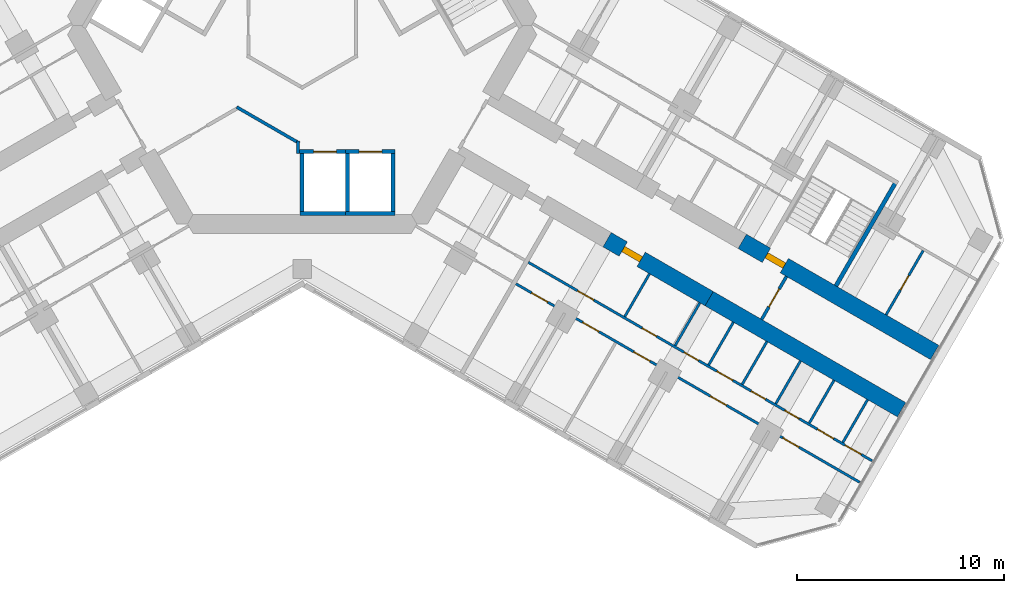
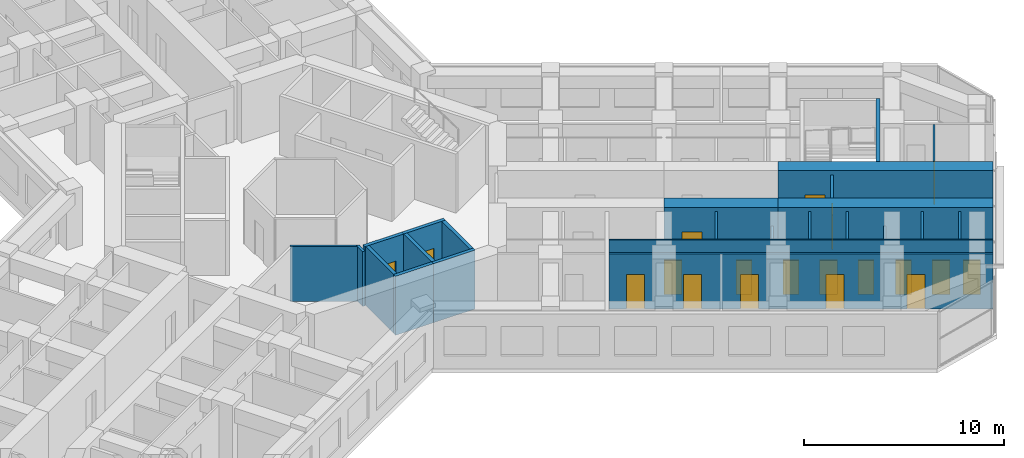
# One storey, part 14 of 19: 24 walls, 19 doors, 19 openings.
"""IFC4 building model written with IfcOpenShell, lengths in metres."""

from ifc_helpers import new_model, si_unit, direction, frame, frame_2d, origin, place, context, subcontext, project, spatial, rectangle, extrude, material, layer, layer_set, type_object, element, fill, save


model = new_model("IFC4")

# Units and contexts
model_context = context("Model", 3, precision=1e-05, world=origin(), true_north=direction((0.0, 1.0)))
body_context = subcontext(model_context, "Body", "Model", "MODEL_VIEW")
ifc_project = project(units=[si_unit("LENGTHUNIT", "METRE"), si_unit("AREAUNIT", "SQUARE_METRE"), si_unit("VOLUMEUNIT", "CUBIC_METRE"), si_unit("PLANEANGLEUNIT", "RADIAN"), si_unit("MASSUNIT", "GRAM", prefix="KILO")], contexts=[model_context])

# Site, building, storey
site_placement = place(None, origin())
site = spatial("IfcSite", under=ifc_project, at=site_placement, CompositionType="ELEMENT")
building_placement = place(site_placement, origin())
building = spatial("IfcBuilding", under=site, at=building_placement, Name="Kosmar Iwan School Tower", CompositionType="ELEMENT")
storey_placement = place(building_placement, frame((0.0, 0.0, 165.199951171875)))
storey = spatial("IfcBuildingStorey", under=building, at=storey_placement, Name="L41", CompositionType="ELEMENT", Elevation=165.199951171875)

# Walls
ifc_material_1 = material(Name="Gypsum board on steel studs, fire-rated", Category="steel")
ifc_layer_1 = layer(ifc_material_1, 0.14990234375)
ifc_layer_set_1 = layer_set([ifc_layer_1], Name="Core room partition 150")
wall_type_1 = type_object("IfcWallType", Name="Core room partition 150", PredefinedType="PARTITIONING", material=ifc_layer_set_1)
wall_1_placement = place(storey_placement, frame((-3.1650390625, -3.9462890625, 0.0), z_axis=(0.0, 0.0, 1.0), x_axis=(0.866040335699, -0.499974136273, 0.0)))
element("IfcWall", 1, at=wall_1_placement, inside=storey, type_object=wall_type_1, Name="Core room partition L41-CW6", PredefinedType="PARTITIONING", context=body_context, shape_type="SweptSolid", body=[
    extrude(rectangle(XDim=3.498779296875, YDim=0.14990234375, at=frame_2d((1.74951171875, 0.0))), origin(), (0.0, 0.0, 1.0), 3.35009765625),
])
wall_2_placement = place(storey_placement, frame((-0.199951171875, -5.5830078125, 0.0), z_axis=(0.0, 0.0, 1.0), x_axis=(0.0, -1.0, 0.0)))
element("IfcWall", 2, at=wall_2_placement, inside=storey, type_object=wall_type_1, Name="Core room partition L41-CW7", PredefinedType="PARTITIONING", context=body_context, shape_type="SweptSolid", body=[
    extrude(rectangle(XDim=0.616943359375, YDim=0.14990234375, at=frame_2d((0.30859375, 0.0))), origin(), (0.0, 0.0, 1.0), 3.35009765625),
])

# Wall, opening, door
ifc_material_2 = material(Name="Concrete C50/60", Category="concrete")
ifc_layer_2 = layer(ifc_material_2, 0.800048828125)
ifc_layer_set_2 = layer_set([ifc_layer_2], Name="Corridor buttress wall 800")
wall_type_2 = type_object("IfcWallType", Name="Corridor buttress wall 800", PredefinedType="SHEAR", material=ifc_layer_set_2)
wall_3_placement = place(storey_placement, frame((21.281494140625, -10.439453125, 0.0), z_axis=(0.0, 0.0, 1.0), x_axis=(0.866032345022, -0.499987977232, 0.0)))
wall_3 = element("IfcWall", 3, at=wall_3_placement, inside=storey, type_object=wall_type_2, Name="Corridor wall CL bay 3", PredefinedType="SHEAR", context=body_context, shape_type="SweptSolid", body=[
    extrude(rectangle(XDim=10.744873046875, YDim=0.800048828125, at=frame_2d((5.37255859375, 0.0))), origin(), (0.0, 0.0, 1.0), 3.60009765625),
])
opening_1_placement = place(wall_3_placement, frame((1.35009765625, 0.0, 0.0)))
opening_1 = element("IfcOpeningElement", 4, at=opening_1_placement, cuts=wall_3, Name="Opening D6", PredefinedType="OPENING", context=body_context, shape_type="SweptSolid", body=[
    extrude(rectangle(XDim=1.0, YDim=2.10009765625, at=frame_2d((0.5, 1.050048828125))), frame((0.0, 0.412109375, 0.0), z_axis=(0.0, -1.0, 0.0), x_axis=(1.0, 0.0, 0.0)), (0.0, 0.0, 1.0), 0.823974609375),
])
ifc_material_3 = material(Name="Steel fire door", Category="steel")
door_type_1 = type_object("IfcDoorType", Name="Stair door 1000x2100", OperationType="SINGLE_SWING_LEFT", PredefinedType="DOOR", material=ifc_material_3)
door_1_placement = place(opening_1_placement, origin())
door_1 = element("IfcDoor", 5, at=door_1_placement, inside=storey, type_object=door_type_1, Name="Stair WS3 door L41", OperationType="SINGLE_SWING_LEFT", OverallHeight=2.10009765625, OverallWidth=1.0, PredefinedType="DOOR", context=body_context, shape_type="SweptSolid", body=[
    extrude(rectangle(XDim=1.0, YDim=2.10009765625, at=frame_2d((0.5, 1.050048828125))), frame((0.0, 0.14990234375, 0.0), z_axis=(0.0, -1.0, 0.0), x_axis=(1.0, 0.0, 0.0)), (0.0, 0.0, 1.0), 0.300048828125),
])
fill(opening_1, door_1)

wall_4_placement = place(storey_placement, frame((14.7451171875, -10.360595703125, 0.0), z_axis=(0.0, 0.0, 1.0), x_axis=(0.866015111908, -0.50001782563, 0.0)))
wall_4 = element("IfcWall", 6, at=wall_4_placement, inside=storey, type_object=wall_type_2, Name="Corridor wall CR bay 2", PredefinedType="SHEAR", context=body_context, shape_type="SweptSolid", body=[
    extrude(rectangle(XDim=5.699951171875, YDim=0.800048828125, at=frame_2d((2.85009765625, 0.0))), origin(), (0.0, 0.0, 1.0), 3.60009765625),
])
opening_2_placement = place(wall_4_placement, frame((0.89990234375, 0.0, 0.0)))
opening_2 = element("IfcOpeningElement", 7, at=opening_2_placement, cuts=wall_4, Name="Opening D1", PredefinedType="OPENING", context=body_context, shape_type="SweptSolid", body=[
    extrude(rectangle(XDim=1.0, YDim=2.10009765625, at=frame_2d((0.5, 1.050048828125))), frame((0.0, 0.412109375, 0.0), z_axis=(0.0, -1.0, 0.0), x_axis=(1.0, 0.0, 0.0)), (0.0, 0.0, 1.0), 0.823974609375),
])
ifc_material_4 = material(Name="Timber fire door in steel frame", Category="steel")
door_type_2 = type_object("IfcDoorType", Name="Flat entrance door 1000x2100", OperationType="SINGLE_SWING_LEFT", PredefinedType="DOOR", material=ifc_material_4)
door_2_placement = place(opening_2_placement, origin())
door_2 = element("IfcDoor", 8, at=door_2_placement, inside=storey, type_object=door_type_2, Name="Flat L41-CR2 entrance door", OperationType="SINGLE_SWING_LEFT", OverallHeight=2.10009765625, OverallWidth=1.0, PredefinedType="DOOR", context=body_context, shape_type="SweptSolid", body=[
    extrude(rectangle(XDim=1.0, YDim=2.10009765625, at=frame_2d((0.5, 1.050048828125))), frame((0.0, 0.14990234375, 0.0), z_axis=(0.0, -1.0, 0.0), x_axis=(1.0, 0.0, 0.0)), (0.0, 0.0, 1.0), 0.300048828125),
])
fill(opening_2, door_2)

# Wall
wall_5_placement = place(storey_placement, frame((19.681396484375, -13.210693359375, 0.0), z_axis=(0.0, 0.0, 1.0), x_axis=(0.866028186671, -0.499995179869, 0.0)))
element("IfcWall", 9, at=wall_5_placement, inside=storey, type_object=wall_type_2, Name="Corridor wall CR bay 3", PredefinedType="SHEAR", context=body_context, shape_type="SweptSolid", body=[
    extrude(rectangle(XDim=10.7451171875, YDim=0.800048828125, at=frame_2d((5.37255859375, 0.0))), origin(), (0.0, 0.0, 1.0), 3.60009765625),
])

# Wall, opening, door
ifc_material_5 = material(Name="Gypsum board on steel studs, fire-rated", Category="steel")
ifc_layer_3 = layer(ifc_material_5, 0.14990234375)
ifc_layer_set_3 = layer_set([ifc_layer_3], Name="Corridor end wall 150")
wall_type_3 = type_object("IfcWallType", Name="Corridor end wall 150", PredefinedType="PARTITIONING", material=ifc_layer_set_3)
wall_6_placement = place(storey_placement, frame((22.2197265625, -14.21435546875, 0.0), z_axis=(0.0, 0.0, 1.0), x_axis=(0.499957262057, 0.866050077142, 0.0)))
wall_6 = element("IfcWall", 10, at=wall_6_placement, inside=storey, type_object=wall_type_3, Name="Partition L41-C-CE", PredefinedType="PARTITIONING", context=body_context, shape_type="SweptSolid", body=[
    extrude(rectangle(XDim=2.400146484375, YDim=0.14990234375, at=frame_2d((1.2001953125, 0.0))), origin(), (0.0, 0.0, 1.0), 3.35009765625),
])
opening_3_placement = place(wall_6_placement, frame((0.699951171875, 0.0, 0.0)))
opening_3 = element("IfcOpeningElement", 11, at=opening_3_placement, cuts=wall_6, Name="Opening D13", PredefinedType="OPENING", context=body_context, shape_type="SweptSolid", body=[
    extrude(rectangle(XDim=1.0, YDim=2.10009765625, at=frame_2d((0.5, 1.050048828125))), frame((0.0, 0.0869140625, 0.0), z_axis=(0.0, -1.0, 0.0), x_axis=(1.0, 0.0, 0.0)), (0.0, 0.0, 1.0), 0.173828125),
])
ifc_material_6 = material(Name="Timber fire door with vision panel", Category="wood")
door_type_3 = type_object("IfcDoorType", Name="Corridor end door 1000x2100", OperationType="SINGLE_SWING_LEFT", PredefinedType="DOOR", material=ifc_material_6)
door_3_placement = place(opening_3_placement, origin())
door_3 = element("IfcDoor", 12, at=door_3_placement, inside=storey, type_object=door_type_3, Name="Family study room door L41-C", OperationType="SINGLE_SWING_LEFT", OverallHeight=2.10009765625, OverallWidth=1.0, PredefinedType="DOOR", context=body_context, shape_type="SweptSolid", body=[
    extrude(rectangle(XDim=1.0, YDim=2.10009765625, at=frame_2d((0.5, 1.050048828125))), frame((0.0, 0.02490234375, 0.0), z_axis=(0.0, -1.0, 0.0), x_axis=(1.0, 0.0, 0.0)), (0.0, 0.0, 1.0), 0.050048828125),
])
fill(opening_3, door_3)

ifc_material_7 = material(Name="Gypsum board on steel studs", Category="steel")
ifc_layer_4 = layer(ifc_material_7, 0.1201171875)
ifc_layer_set_4 = layer_set([ifc_layer_4], Name="Dwelling partition 120")
wall_type_4 = type_object("IfcWallType", Name="Dwelling partition 120", PredefinedType="PARTITIONING", material=ifc_layer_set_4)
wall_7_placement = place(storey_placement, frame((28.236572265625, -13.992919921875, 0.0), z_axis=(0.0, 0.0, 1.0), x_axis=(0.499971658126, 0.866041766355, 0.0)))
wall_7 = element("IfcWall", 13, at=wall_7_placement, inside=storey, type_object=wall_type_4, Name="Partition L41-CL2-TY", PredefinedType="PARTITIONING", context=body_context, shape_type="SweptSolid", body=[
    extrude(rectangle(XDim=3.590087890625, YDim=0.1201171875, at=frame_2d((1.794921875, 0.0))), origin(), (0.0, 0.0, 1.0), 3.35009765625),
])
opening_4_placement = place(wall_7_placement, frame((1.39501953125, 0.0, 0.0)))
opening_4 = element("IfcOpeningElement", 14, at=opening_4_placement, cuts=wall_7, Name="Opening D3", PredefinedType="OPENING", context=body_context, shape_type="SweptSolid", body=[
    extrude(rectangle(XDim=0.800048828125, YDim=2.10009765625, at=frame_2d((0.39990234375, 1.050048828125))), frame((0.0, 0.072021484375, 0.0), z_axis=(0.0, -1.0, 0.0), x_axis=(1.0, 0.0, 0.0)), (0.0, 0.0, 1.0), 0.14404296875),
])
ifc_material_8 = material(Name="Timber door in timber frame", Category="wood")
door_type_4 = type_object("IfcDoorType", Name="Sanitary room door 800x2100", OperationType="SINGLE_SWING_LEFT", PredefinedType="DOOR", material=ifc_material_8)
door_4_placement = place(opening_4_placement, origin())
door_4 = element("IfcDoor", 15, at=door_4_placement, inside=storey, type_object=door_type_4, Name="Shower room door L41-CL2-T4", OperationType="SINGLE_SWING_LEFT", OverallHeight=2.10009765625, OverallWidth=0.800048828125, PredefinedType="DOOR", context=body_context, shape_type="SweptSolid", body=[
    extrude(rectangle(XDim=0.800048828125, YDim=2.10009765625, at=frame_2d((0.39990234375, 1.050048828125))), frame((0.0, 0.02490234375, 0.0), z_axis=(0.0, -1.0, 0.0), x_axis=(1.0, 0.0, 0.0)), (0.0, 0.0, 1.0), 0.050048828125),
])
fill(opening_4, door_4)

# Wall, openings, doors
wall_8_placement = place(storey_placement, frame((10.9384765625, -11.453857421875, 0.0), z_axis=(0.0, 0.0, 1.0), x_axis=(0.866029698618, -0.499992561057, 0.0)))
wall_8 = element("IfcWall", 16, at=wall_8_placement, inside=storey, type_object=wall_type_4, Name="Partition L41-CR2-W1", PredefinedType="PARTITIONING", context=body_context, shape_type="SweptSolid", body=[
    extrude(rectangle(XDim=19.195068359375, YDim=0.1201171875, at=frame_2d((9.59765625, 0.0))), origin(), (0.0, 0.0, 1.0), 3.35009765625),
])
opening_5_placement = place(wall_8_placement, frame((2.75, 0.0, 0.0)))
opening_5 = element("IfcOpeningElement", 17, at=opening_5_placement, cuts=wall_8, Name="Opening D2", PredefinedType="OPENING", context=body_context, shape_type="SweptSolid", body=[
    extrude(rectangle(XDim=0.89990234375, YDim=2.10009765625, at=frame_2d((0.449951171875, 1.050048828125))), frame((0.0, 0.072021484375, 0.0), z_axis=(0.0, -1.0, 0.0), x_axis=(1.0, 0.0, 0.0)), (0.0, 0.0, 1.0), 0.14404296875),
])
opening_6_placement = place(wall_8_placement, frame((6.35498046875, 0.0, 0.0)))
opening_6 = element("IfcOpeningElement", 18, at=opening_6_placement, cuts=wall_8, Name="Opening D3", PredefinedType="OPENING", context=body_context, shape_type="SweptSolid", body=[
    extrude(rectangle(XDim=0.800048828125, YDim=2.10009765625, at=frame_2d((0.39990234375, 1.050048828125))), frame((0.0, 0.072021484375, 0.0), z_axis=(0.0, -1.0, 0.0), x_axis=(1.0, 0.0, 0.0)), (0.0, 0.0, 1.0), 0.14404296875),
])
opening_7_placement = place(wall_8_placement, frame((8.69677734375, 0.0, 0.0)))
opening_7 = element("IfcOpeningElement", 19, at=opening_7_placement, cuts=wall_8, Name="Opening D3", PredefinedType="OPENING", context=body_context, shape_type="SweptSolid", body=[
    extrude(rectangle(XDim=0.800048828125, YDim=2.10009765625, at=frame_2d((0.39990234375, 1.050048828125))), frame((0.0, 0.072021484375, 0.0), z_axis=(0.0, -1.0, 0.0), x_axis=(1.0, 0.0, 0.0)), (0.0, 0.0, 1.0), 0.14404296875),
])
opening_8_placement = place(wall_8_placement, frame((10.52001953125, 0.0, 0.0)))
opening_8 = element("IfcOpeningElement", 20, at=opening_8_placement, cuts=wall_8, Name="Opening D2", PredefinedType="OPENING", context=body_context, shape_type="SweptSolid", body=[
    extrude(rectangle(XDim=0.89990234375, YDim=2.10009765625, at=frame_2d((0.449951171875, 1.050048828125))), frame((0.0, 0.072021484375, 0.0), z_axis=(0.0, -1.0, 0.0), x_axis=(1.0, 0.0, 0.0)), (0.0, 0.0, 1.0), 0.14404296875),
])
opening_9_placement = place(wall_8_placement, frame((12.443359375, 0.0, 0.0)))
opening_9 = element("IfcOpeningElement", 21, at=opening_9_placement, cuts=wall_8, Name="Opening D3", PredefinedType="OPENING", context=body_context, shape_type="SweptSolid", body=[
    extrude(rectangle(XDim=0.800048828125, YDim=2.10009765625, at=frame_2d((0.39990234375, 1.050048828125))), frame((0.0, 0.072021484375, 0.0), z_axis=(0.0, -1.0, 0.0), x_axis=(1.0, 0.0, 0.0)), (0.0, 0.0, 1.0), 0.14404296875),
])
opening_10_placement = place(wall_8_placement, frame((14.316650390625, 0.0, 0.0)))
opening_10 = element("IfcOpeningElement", 22, at=opening_10_placement, cuts=wall_8, Name="Opening D3", PredefinedType="OPENING", context=body_context, shape_type="SweptSolid", body=[
    extrude(rectangle(XDim=0.800048828125, YDim=2.10009765625, at=frame_2d((0.39990234375, 1.050048828125))), frame((0.0, 0.072021484375, 0.0), z_axis=(0.0, -1.0, 0.0), x_axis=(1.0, 0.0, 0.0)), (0.0, 0.0, 1.0), 0.14404296875),
])
opening_11_placement = place(wall_8_placement, frame((16.139892578125, 0.0, 0.0)))
opening_11 = element("IfcOpeningElement", 23, at=opening_11_placement, cuts=wall_8, Name="Opening D2", PredefinedType="OPENING", context=body_context, shape_type="SweptSolid", body=[
    extrude(rectangle(XDim=0.89990234375, YDim=2.10009765625, at=frame_2d((0.449951171875, 1.050048828125))), frame((0.0, 0.072021484375, 0.0), z_axis=(0.0, -1.0, 0.0), x_axis=(1.0, 0.0, 0.0)), (0.0, 0.0, 1.0), 0.14404296875),
])
opening_12_placement = place(wall_8_placement, frame((17.686767578125, 0.0, 0.0)))
opening_12 = element("IfcOpeningElement", 24, at=opening_12_placement, cuts=wall_8, Name="Opening D2", PredefinedType="OPENING", context=body_context, shape_type="SweptSolid", body=[
    extrude(rectangle(XDim=0.89990234375, YDim=2.10009765625, at=frame_2d((0.449951171875, 1.050048828125))), frame((0.0, 0.072021484375, 0.0), z_axis=(0.0, -1.0, 0.0), x_axis=(1.0, 0.0, 0.0)), (0.0, 0.0, 1.0), 0.14404296875),
])
ifc_material_9 = material(Name="Timber door in timber frame", Category="wood")
door_type_5 = type_object("IfcDoorType", Name="Internal door 900x2100", OperationType="SINGLE_SWING_LEFT", PredefinedType="DOOR", material=ifc_material_9)
door_5_placement = place(opening_5_placement, origin())
door_5 = element("IfcDoor", 25, at=door_5_placement, inside=storey, type_object=door_type_5, Name="Entrance hall door L41-CR2-S1", OperationType="SINGLE_SWING_RIGHT", OverallHeight=2.10009765625, OverallWidth=0.89990234375, PredefinedType="DOOR", context=body_context, shape_type="SweptSolid", body=[
    extrude(rectangle(XDim=0.89990234375, YDim=2.10009765625, at=frame_2d((0.449951171875, 1.050048828125))), frame((0.0, 0.02490234375, 0.0), z_axis=(0.0, -1.0, 0.0), x_axis=(1.0, 0.0, 0.0)), (0.0, 0.0, 1.0), 0.050048828125),
])
fill(opening_5, door_5)
door_6_placement = place(opening_8_placement, origin())
door_6 = element("IfcDoor", 26, at=door_6_placement, inside=storey, type_object=door_type_5, Name="Pantry door L41-CR2-S4", OperationType="SINGLE_SWING_LEFT", OverallHeight=2.10009765625, OverallWidth=0.89990234375, PredefinedType="DOOR", context=body_context, shape_type="SweptSolid", body=[
    extrude(rectangle(XDim=0.89990234375, YDim=2.10009765625, at=frame_2d((0.449951171875, 1.050048828125))), frame((0.0, 0.02490234375, 0.0), z_axis=(0.0, -1.0, 0.0), x_axis=(1.0, 0.0, 0.0)), (0.0, 0.0, 1.0), 0.050048828125),
])
fill(opening_8, door_6)
door_7_placement = place(opening_11_placement, origin())
door_7 = element("IfcDoor", 27, at=door_7_placement, inside=storey, type_object=door_type_5, Name="Utility room door L41-CR2-S7", OperationType="SINGLE_SWING_RIGHT", OverallHeight=2.10009765625, OverallWidth=0.89990234375, PredefinedType="DOOR", context=body_context, shape_type="SweptSolid", body=[
    extrude(rectangle(XDim=0.89990234375, YDim=2.10009765625, at=frame_2d((0.449951171875, 1.050048828125))), frame((0.0, 0.02490234375, 0.0), z_axis=(0.0, -1.0, 0.0), x_axis=(1.0, 0.0, 0.0)), (0.0, 0.0, 1.0), 0.050048828125),
])
fill(opening_11, door_7)
door_8_placement = place(opening_12_placement, origin())
door_8 = element("IfcDoor", 28, at=door_8_placement, inside=storey, type_object=door_type_5, Name="Dressing room door L41-CR2-S8", OperationType="SINGLE_SWING_LEFT", OverallHeight=2.10009765625, OverallWidth=0.89990234375, PredefinedType="DOOR", context=body_context, shape_type="SweptSolid", body=[
    extrude(rectangle(XDim=0.89990234375, YDim=2.10009765625, at=frame_2d((0.449951171875, 1.050048828125))), frame((0.0, 0.02490234375, 0.0), z_axis=(0.0, -1.0, 0.0), x_axis=(1.0, 0.0, 0.0)), (0.0, 0.0, 1.0), 0.050048828125),
])
fill(opening_12, door_8)
door_9_placement = place(opening_6_placement, origin())
door_9 = element("IfcDoor", 29, at=door_9_placement, inside=storey, type_object=door_type_4, Name="Bathroom door L41-CR2-S2", OperationType="SINGLE_SWING_LEFT", OverallHeight=2.10009765625, OverallWidth=0.800048828125, PredefinedType="DOOR", context=body_context, shape_type="SweptSolid", body=[
    extrude(rectangle(XDim=0.800048828125, YDim=2.10009765625, at=frame_2d((0.39990234375, 1.050048828125))), frame((0.0, 0.02490234375, 0.0), z_axis=(0.0, -1.0, 0.0), x_axis=(1.0, 0.0, 0.0)), (0.0, 0.0, 1.0), 0.050048828125),
])
fill(opening_6, door_9)
door_10_placement = place(opening_7_placement, origin())
door_10 = element("IfcDoor", 30, at=door_10_placement, inside=storey, type_object=door_type_4, Name="Shower room door L41-CR2-S3", OperationType="SINGLE_SWING_RIGHT", OverallHeight=2.10009765625, OverallWidth=0.800048828125, PredefinedType="DOOR", context=body_context, shape_type="SweptSolid", body=[
    extrude(rectangle(XDim=0.800048828125, YDim=2.10009765625, at=frame_2d((0.39990234375, 1.050048828125))), frame((0.0, 0.02490234375, 0.0), z_axis=(0.0, -1.0, 0.0), x_axis=(1.0, 0.0, 0.0)), (0.0, 0.0, 1.0), 0.050048828125),
])
fill(opening_7, door_10)
door_11_placement = place(opening_9_placement, origin())
door_11 = element("IfcDoor", 31, at=door_11_placement, inside=storey, type_object=door_type_4, Name="WC door L41-CR2-S5", OperationType="SINGLE_SWING_RIGHT", OverallHeight=2.10009765625, OverallWidth=0.800048828125, PredefinedType="DOOR", context=body_context, shape_type="SweptSolid", body=[
    extrude(rectangle(XDim=0.800048828125, YDim=2.10009765625, at=frame_2d((0.39990234375, 1.050048828125))), frame((0.0, 0.02490234375, 0.0), z_axis=(0.0, -1.0, 0.0), x_axis=(1.0, 0.0, 0.0)), (0.0, 0.0, 1.0), 0.050048828125),
])
fill(opening_9, door_11)
door_12_placement = place(opening_10_placement, origin())
door_12 = element("IfcDoor", 32, at=door_12_placement, inside=storey, type_object=door_type_4, Name="Store door L41-CR2-S6", OperationType="SINGLE_SWING_LEFT", OverallHeight=2.10009765625, OverallWidth=0.800048828125, PredefinedType="DOOR", context=body_context, shape_type="SweptSolid", body=[
    extrude(rectangle(XDim=0.800048828125, YDim=2.10009765625, at=frame_2d((0.39990234375, 1.050048828125))), frame((0.0, 0.02490234375, 0.0), z_axis=(0.0, -1.0, 0.0), x_axis=(1.0, 0.0, 0.0)), (0.0, 0.0, 1.0), 0.050048828125),
])
fill(opening_10, door_12)

wall_9_placement = place(storey_placement, frame((10.338623046875, -12.492919921875, 0.0), z_axis=(0.0, 0.0, 1.0), x_axis=(0.866021011428, -0.500007607708, 0.0)))
wall_9 = element("IfcWall", 33, at=wall_9_placement, inside=storey, type_object=wall_type_4, Name="Partition L41-CR2-W2", PredefinedType="PARTITIONING", context=body_context, shape_type="SweptSolid", body=[
    extrude(rectangle(XDim=19.195068359375, YDim=0.1201171875, at=frame_2d((9.59765625, 0.0))), origin(), (0.0, 0.0, 1.0), 3.35009765625),
])
opening_13_placement = place(wall_9_placement, frame((0.875, 0.0, 0.0)))
opening_13 = element("IfcOpeningElement", 34, at=opening_13_placement, cuts=wall_9, Name="Opening D2", PredefinedType="OPENING", context=body_context, shape_type="SweptSolid", body=[
    extrude(rectangle(XDim=0.89990234375, YDim=2.10009765625, at=frame_2d((0.449951171875, 1.050048828125))), frame((0.0, 0.072021484375, 0.0), z_axis=(0.0, -1.0, 0.0), x_axis=(1.0, 0.0, 0.0)), (0.0, 0.0, 1.0), 0.14404296875),
])
opening_14_placement = place(wall_9_placement, frame((3.72509765625, 0.0, 0.0)))
opening_14 = element("IfcOpeningElement", 35, at=opening_14_placement, cuts=wall_9, Name="Opening D2", PredefinedType="OPENING", context=body_context, shape_type="SweptSolid", body=[
    extrude(rectangle(XDim=0.89990234375, YDim=2.10009765625, at=frame_2d((0.449951171875, 1.050048828125))), frame((0.0, 0.072021484375, 0.0), z_axis=(0.0, -1.0, 0.0), x_axis=(1.0, 0.0, 0.0)), (0.0, 0.0, 1.0), 0.14404296875),
])
opening_15_placement = place(wall_9_placement, frame((6.574951171875, 0.0, 0.0)))
opening_15 = element("IfcOpeningElement", 36, at=opening_15_placement, cuts=wall_9, Name="Opening D2", PredefinedType="OPENING", context=body_context, shape_type="SweptSolid", body=[
    extrude(rectangle(XDim=0.89990234375, YDim=2.10009765625, at=frame_2d((0.449951171875, 1.050048828125))), frame((0.0, 0.072021484375, 0.0), z_axis=(0.0, -1.0, 0.0), x_axis=(1.0, 0.0, 0.0)), (0.0, 0.0, 1.0), 0.14404296875),
])
opening_16_placement = place(wall_9_placement, frame((10.85009765625, 0.0, 0.0)))
opening_16 = element("IfcOpeningElement", 37, at=opening_16_placement, cuts=wall_9, Name="Opening D2", PredefinedType="OPENING", context=body_context, shape_type="SweptSolid", body=[
    extrude(rectangle(XDim=0.89990234375, YDim=2.10009765625, at=frame_2d((0.449951171875, 1.050048828125))), frame((0.0, 0.072021484375, 0.0), z_axis=(0.0, -1.0, 0.0), x_axis=(1.0, 0.0, 0.0)), (0.0, 0.0, 1.0), 0.14404296875),
])
opening_17_placement = place(wall_9_placement, frame((14.89990234375, 0.0, 0.0)))
opening_17 = element("IfcOpeningElement", 38, at=opening_17_placement, cuts=wall_9, Name="Opening D2", PredefinedType="OPENING", context=body_context, shape_type="SweptSolid", body=[
    extrude(rectangle(XDim=0.89990234375, YDim=2.10009765625, at=frame_2d((0.449951171875, 1.050048828125))), frame((0.0, 0.072021484375, 0.0), z_axis=(0.0, -1.0, 0.0), x_axis=(1.0, 0.0, 0.0)), (0.0, 0.0, 1.0), 0.14404296875),
])
door_13_placement = place(opening_13_placement, origin())
door_13 = element("IfcDoor", 39, at=door_13_placement, inside=storey, type_object=door_type_5, Name="Bedroom 1 door L41-CR2-F1", OperationType="SINGLE_SWING_LEFT", OverallHeight=2.10009765625, OverallWidth=0.89990234375, PredefinedType="DOOR", context=body_context, shape_type="SweptSolid", body=[
    extrude(rectangle(XDim=0.89990234375, YDim=2.10009765625, at=frame_2d((0.449951171875, 1.050048828125))), frame((0.0, 0.02490234375, 0.0), z_axis=(0.0, -1.0, 0.0), x_axis=(1.0, 0.0, 0.0)), (0.0, 0.0, 1.0), 0.050048828125),
])
fill(opening_13, door_13)
door_14_placement = place(opening_14_placement, origin())
door_14 = element("IfcDoor", 40, at=door_14_placement, inside=storey, type_object=door_type_5, Name="Bedroom 2 door L41-CR2-F2", OperationType="SINGLE_SWING_LEFT", OverallHeight=2.10009765625, OverallWidth=0.89990234375, PredefinedType="DOOR", context=body_context, shape_type="SweptSolid", body=[
    extrude(rectangle(XDim=0.89990234375, YDim=2.10009765625, at=frame_2d((0.449951171875, 1.050048828125))), frame((0.0, 0.02490234375, 0.0), z_axis=(0.0, -1.0, 0.0), x_axis=(1.0, 0.0, 0.0)), (0.0, 0.0, 1.0), 0.050048828125),
])
fill(opening_14, door_14)
door_15_placement = place(opening_15_placement, origin())
door_15 = element("IfcDoor", 41, at=door_15_placement, inside=storey, type_object=door_type_5, Name="Bedroom 3 door L41-CR2-F3", OperationType="SINGLE_SWING_LEFT", OverallHeight=2.10009765625, OverallWidth=0.89990234375, PredefinedType="DOOR", context=body_context, shape_type="SweptSolid", body=[
    extrude(rectangle(XDim=0.89990234375, YDim=2.10009765625, at=frame_2d((0.449951171875, 1.050048828125))), frame((0.0, 0.02490234375, 0.0), z_axis=(0.0, -1.0, 0.0), x_axis=(1.0, 0.0, 0.0)), (0.0, 0.0, 1.0), 0.050048828125),
])
fill(opening_15, door_15)
door_16_placement = place(opening_16_placement, origin())
door_16 = element("IfcDoor", 42, at=door_16_placement, inside=storey, type_object=door_type_5, Name="Living room door L41-CR2-F4", OperationType="SINGLE_SWING_RIGHT", OverallHeight=2.10009765625, OverallWidth=0.89990234375, PredefinedType="DOOR", context=body_context, shape_type="SweptSolid", body=[
    extrude(rectangle(XDim=0.89990234375, YDim=2.10009765625, at=frame_2d((0.449951171875, 1.050048828125))), frame((0.0, 0.02490234375, 0.0), z_axis=(0.0, -1.0, 0.0), x_axis=(1.0, 0.0, 0.0)), (0.0, 0.0, 1.0), 0.050048828125),
])
fill(opening_16, door_16)
door_17_placement = place(opening_17_placement, origin())
door_17 = element("IfcDoor", 43, at=door_17_placement, inside=storey, type_object=door_type_5, Name="Kitchen and dining room door L41-CR2-F5", OperationType="SINGLE_SWING_RIGHT", OverallHeight=2.10009765625, OverallWidth=0.89990234375, PredefinedType="DOOR", context=body_context, shape_type="SweptSolid", body=[
    extrude(rectangle(XDim=0.89990234375, YDim=2.10009765625, at=frame_2d((0.449951171875, 1.050048828125))), frame((0.0, 0.02490234375, 0.0), z_axis=(0.0, -1.0, 0.0), x_axis=(1.0, 0.0, 0.0)), (0.0, 0.0, 1.0), 0.050048828125),
])
fill(opening_17, door_17)

# Walls
wall_10_placement = place(storey_placement, frame((16.796875, -12.007080078125, 0.0), z_axis=(0.0, 0.0, 1.0), x_axis=(-0.500017192868, -0.86601547725, 0.0)))
element("IfcWall", 44, at=wall_10_placement, inside=storey, type_object=wall_type_4, Name="Partition L41-CR2-Y1", PredefinedType="PARTITIONING", context=body_context, shape_type="SweptSolid", body=[
    extrude(rectangle(XDim=2.39013671875, YDim=0.1201171875, at=frame_2d((1.195068359375, 0.0))), origin(), (0.0, 0.0, 1.0), 3.35009765625),
])
wall_11_placement = place(storey_placement, frame((19.23046875, -13.412109375, 0.0), z_axis=(0.0, 0.0, 1.0), x_axis=(-0.500017192868, -0.86601547725, 0.0)))
element("IfcWall", 45, at=wall_11_placement, inside=storey, type_object=wall_type_4, Name="Partition L41-CR2-Y2", PredefinedType="PARTITIONING", context=body_context, shape_type="SweptSolid", body=[
    extrude(rectangle(XDim=2.39013671875, YDim=0.1201171875, at=frame_2d((1.195068359375, 0.0))), origin(), (0.0, 0.0, 1.0), 2.449951171875),
])
for number, where, z_axis, x_axis, name in (
    (46, (20.852783203125, -14.3486328125, 0.0), (0.0, 0.0, 1.0), (-0.500017192868, -0.86601547725, 0.0), "Partition L41-CR2-Y3"),
    (47, (22.47509765625, -15.285400390625, 0.0), (0.0, 0.0, 1.0), (-0.500017192868, -0.86601547725, 0.0), "Partition L41-CR2-Y4"),
):
    element("IfcWall", number, at=place(storey_placement, frame(where, z_axis=z_axis, x_axis=x_axis)), inside=storey, type_object=wall_type_4, Name=name, PredefinedType="PARTITIONING", context=body_context, shape_type="SweptSolid", body=[
        extrude(rectangle(XDim=2.39013671875, YDim=0.1201171875, at=frame_2d((1.195068359375, 0.0))), origin(), (0.0, 0.0, 1.0), 3.35009765625),
    ])
wall_12_placement = place(storey_placement, frame((24.097412109375, -16.221923828125, 0.0), z_axis=(0.0, 0.0, 1.0), x_axis=(-0.500017192868, -0.86601547725, 0.0)))
element("IfcWall", 48, at=wall_12_placement, inside=storey, type_object=wall_type_4, Name="Partition L41-CR2-Y5", PredefinedType="PARTITIONING", context=body_context, shape_type="SweptSolid", body=[
    extrude(rectangle(XDim=2.39013671875, YDim=0.1201171875, at=frame_2d((1.195068359375, 0.0))), origin(), (0.0, 0.0, 1.0), 2.449951171875),
])
wall_13_placement = place(storey_placement, frame((25.7197265625, -17.15869140625, 0.0), z_axis=(0.0, 0.0, 1.0), x_axis=(-0.500017192868, -0.86601547725, 0.0)))
element("IfcWall", 49, at=wall_13_placement, inside=storey, type_object=wall_type_4, Name="Partition L41-CR2-Y6", PredefinedType="PARTITIONING", context=body_context, shape_type="SweptSolid", body=[
    extrude(rectangle(XDim=2.39013671875, YDim=0.1201171875, at=frame_2d((1.195068359375, 0.0))), origin(), (0.0, 0.0, 1.0), 3.35009765625),
])
wall_14_placement = place(storey_placement, frame((27.342041015625, -18.095458984375, 0.0), z_axis=(0.0, 0.0, 1.0), x_axis=(-0.499940577336, -0.866059708757, 0.0)))
element("IfcWall", 50, at=wall_14_placement, inside=storey, type_object=wall_type_4, Name="Partition L41-CR2-Y7", PredefinedType="PARTITIONING", context=body_context, shape_type="SweptSolid", body=[
    extrude(rectangle(XDim=2.389892578125, YDim=0.1201171875, at=frame_2d((1.19482421875, 0.0))), origin(), (0.0, 0.0, 1.0), 3.35009765625),
])
ifc_material_10 = material(Name="Concrete C35/45", Category="concrete")
ifc_layer_5 = layer(ifc_material_10, 0.199951171875)
ifc_layer_set_5 = layer_set([ifc_layer_5], Name="Escape stair wall 200")
wall_type_5 = type_object("IfcWallType", Name="Escape stair wall 200", PredefinedType="SHEAR", material=ifc_layer_set_5)
wall_15_placement = place(storey_placement, frame((25.8115234375, -12.593017578125, 0.0), z_axis=(0.0, 0.0, 1.0), x_axis=(0.500019744199, 0.866014004166, 0.0)))
element("IfcWall", 51, at=wall_15_placement, inside=storey, type_object=wall_type_5, Name="Stair WS3 wall", PredefinedType="SHEAR", context=body_context, shape_type="SweptSolid", body=[
    extrude(rectangle(XDim=5.900146484375, YDim=0.199951171875, at=frame_2d((2.9501953125, 0.0))), origin(), (0.0, 0.0, 1.0), 3.330078125),
])

# Wall, opening, door
ifc_material_11 = material(Name="Concrete C50/60", Category="concrete")
ifc_layer_6 = layer(ifc_material_11, 0.199951171875)
ifc_layer_set_6 = layer_set([ifc_layer_6], Name="Lift shaft wall 200")
wall_type_6 = type_object("IfcWallType", Name="Lift shaft wall 200", PredefinedType="SHEAR", material=ifc_layer_set_6)
wall_16_placement = place(storey_placement, frame((-0.125, -6.10009765625, 0.0), z_axis=(0.0, 0.0, 1.0), x_axis=(1.0, 0.0, 0.0)))
wall_16 = element("IfcWall", 52, at=wall_16_placement, inside=storey, type_object=wall_type_6, Name="Lift and stair front wall BC", PredefinedType="SHEAR", context=body_context, shape_type="SweptSolid", body=[
    extrude(rectangle(XDim=2.22509765625, YDim=0.199951171875, at=frame_2d((1.112548828125, 0.0))), origin(), (0.0, 0.0, 1.0), 3.60009765625),
])
opening_18_placement = place(wall_16_placement, frame((0.675048828125, 0.0, 0.0)))
opening_18 = element("IfcOpeningElement", 53, at=opening_18_placement, cuts=wall_16, Name="Opening LD1", PredefinedType="OPENING", context=body_context, shape_type="SweptSolid", body=[
    extrude(rectangle(XDim=1.10009765625, YDim=2.10009765625, at=frame_2d((0.550048828125, 1.050048828125))), frame((0.0, 0.112060546875, 0.0), z_axis=(0.0, -1.0, 0.0), x_axis=(1.0, 0.0, 0.0)), (0.0, 0.0, 1.0), 0.223876953125),
])
ifc_material_12 = material(Name="Stainless steel sliding lift door", Category="steel")
door_type_6 = type_object("IfcDoorType", Name="Lift landing door 1100x2100", OperationType="SLIDING_TO_LEFT", PredefinedType="DOOR", material=ifc_material_12)
door_18_placement = place(opening_18_placement, origin())
door_18 = element("IfcDoor", 54, at=door_18_placement, inside=storey, type_object=door_type_6, Name="Lift PL3 landing door L41", OperationType="SLIDING_TO_LEFT", OverallHeight=2.10009765625, OverallWidth=1.10009765625, PredefinedType="DOOR", context=body_context, shape_type="SweptSolid", body=[
    extrude(rectangle(XDim=1.10009765625, YDim=2.10009765625, at=frame_2d((0.550048828125, 1.050048828125))), frame((0.0, 0.02490234375, 0.0), z_axis=(0.0, -1.0, 0.0), x_axis=(1.0, 0.0, 0.0)), (0.0, 0.0, 1.0), 0.050048828125),
])
fill(opening_18, door_18)

# Wall
wall_17_placement = place(storey_placement, frame((-0.10009765625, -9.10009765625, 0.0), z_axis=(0.0, 0.0, 1.0), x_axis=(1.0, 0.0, 0.0)))
element("IfcWall", 55, at=wall_17_placement, inside=storey, type_object=wall_type_6, Name="Lift and stair back wall BC", PredefinedType="SHEAR", context=body_context, shape_type="SweptSolid", body=[
    extrude(rectangle(XDim=2.2001953125, YDim=0.199951171875, at=frame_2d((1.10009765625, 0.0))), origin(), (0.0, 0.0, 1.0), 3.60009765625),
])

# Wall, opening, door
wall_18_placement = place(storey_placement, frame((2.10009765625, -6.10009765625, 0.0), z_axis=(0.0, 0.0, 1.0), x_axis=(1.0, 0.0, 0.0)))
wall_18 = element("IfcWall", 56, at=wall_18_placement, inside=storey, type_object=wall_type_6, Name="Lift and stair front wall BC", PredefinedType="SHEAR", context=body_context, shape_type="SweptSolid", body=[
    extrude(rectangle(XDim=2.39990234375, YDim=0.199951171875, at=frame_2d((1.199951171875, 0.0))), origin(), (0.0, 0.0, 1.0), 3.60009765625),
])
opening_19_placement = place(wall_18_placement, frame((0.64990234375, 0.0, 0.0)))
opening_19 = element("IfcOpeningElement", 57, at=opening_19_placement, cuts=wall_18, Name="Opening LD1", PredefinedType="OPENING", context=body_context, shape_type="SweptSolid", body=[
    extrude(rectangle(XDim=1.10009765625, YDim=2.10009765625, at=frame_2d((0.550048828125, 1.050048828125))), frame((0.0, 0.112060546875, 0.0), z_axis=(0.0, -1.0, 0.0), x_axis=(1.0, 0.0, 0.0)), (0.0, 0.0, 1.0), 0.223876953125),
])
door_19_placement = place(opening_19_placement, origin())
door_19 = element("IfcDoor", 58, at=door_19_placement, inside=storey, type_object=door_type_6, Name="Lift PL4 landing door L41", OperationType="SLIDING_TO_LEFT", OverallHeight=2.10009765625, OverallWidth=1.10009765625, PredefinedType="DOOR", context=body_context, shape_type="SweptSolid", body=[
    extrude(rectangle(XDim=1.10009765625, YDim=2.10009765625, at=frame_2d((0.550048828125, 1.050048828125))), frame((0.0, 0.02490234375, 0.0), z_axis=(0.0, -1.0, 0.0), x_axis=(1.0, 0.0, 0.0)), (0.0, 0.0, 1.0), 0.050048828125),
])
fill(opening_19, door_19)

# Walls
wall_19_placement = place(storey_placement, frame((2.10009765625, -9.10009765625, 0.0), z_axis=(0.0, 0.0, 1.0), x_axis=(1.0, 0.0, 0.0)))
element("IfcWall", 59, at=wall_19_placement, inside=storey, type_object=wall_type_6, Name="Lift and stair back wall BC", PredefinedType="SHEAR", context=body_context, shape_type="SweptSolid", body=[
    extrude(rectangle(XDim=2.39990234375, YDim=0.199951171875, at=frame_2d((1.199951171875, 0.0))), origin(), (0.0, 0.0, 1.0), 3.60009765625),
])
for number, where, z_axis, x_axis, name in (
    (60, (0.0, -6.199951171875, 0.0), (0.0, 0.0, 1.0), (0.0, -1.0, 0.0), "Lift shaft wall BC 0"),
    (61, (2.199951171875, -6.199951171875, 0.0), (0.0, 0.0, 1.0), (0.0, -1.0, 0.0), "Lift shaft wall BC 1"),
    (62, (4.39990234375, -6.199951171875, 0.0), (0.0, 0.0, 1.0), (0.0, -1.0, 0.0), "Lift shaft wall BC 2"),
):
    element("IfcWall", number, at=place(storey_placement, frame(where, z_axis=z_axis, x_axis=x_axis)), inside=storey, type_object=wall_type_6, Name=name, PredefinedType="SHEAR", context=body_context, shape_type="SweptSolid", body=[
        extrude(rectangle(XDim=2.800048828125, YDim=0.199951171875, at=frame_2d((1.39990234375, 0.0))), origin(), (0.0, 0.0, 1.0), 3.60009765625),
    ])

save(model, "model.ifc")
